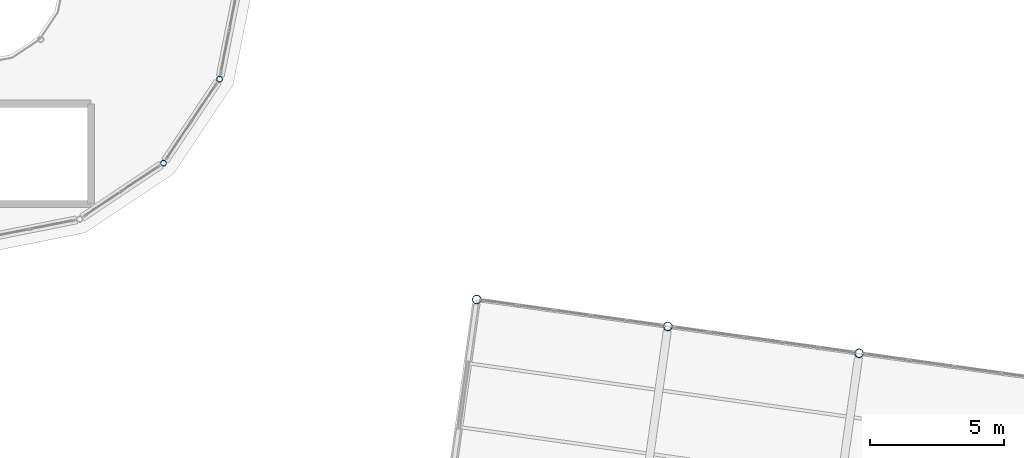
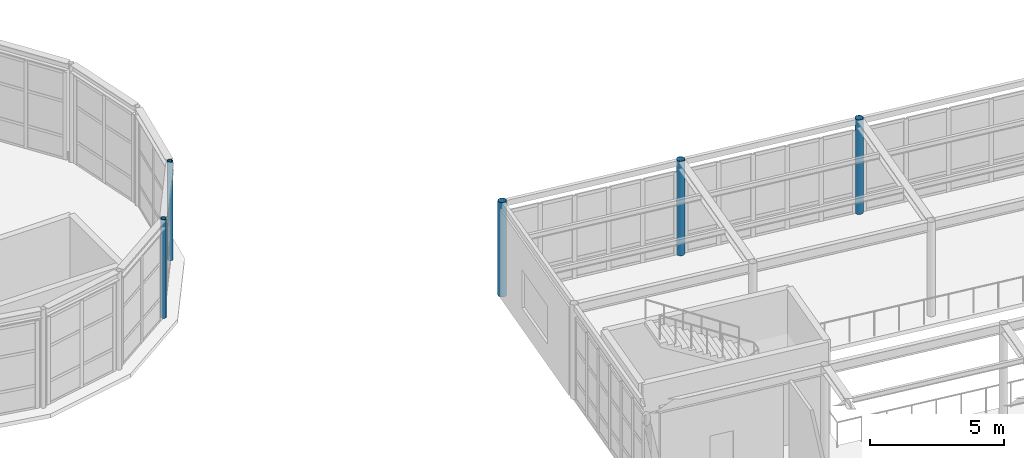
# One storey, part 7 of 80: 5 columns.
"""IFC4 building model written with IfcOpenShell, lengths in metres."""

import ifcopenshell
import ifcopenshell.guid

model = None  # the IFC model being written
_history = None  # IfcOwnerHistory: only IFC2X3 demands one
_inside = {}  # id of a spatial element -> (the spatial element, [elements in it])
_under = {}  # id of a project, library or spatial element -> (it, [spatial elements below it])
_declared = {}  # id of a project -> (the project, [libraries it declares])
_typed = {}  # id of a type object -> (the type object, [elements of that type])
_made_of = {}  # id of a material, layer set ... -> (it, [elements and type objects made of it])


def new_model(schema):
    """Start an empty IFC model of exactly this schema.

    Asked for "IFC4X3", IfcOpenShell would pick the latest addendum, in which some entities
    have other attributes; the version numbers below select the first issue.
    IFC2X3 requires an IfcOwnerHistory on every rooted entity: one is made here for all.
    """
    global model, _history
    if schema == "IFC4X3":
        model = ifcopenshell.file(schema_version=(4, 3, 0, 0))
    else:
        model = ifcopenshell.file(schema=schema)
    _inside.clear()
    _under.clear()
    _declared.clear()
    _typed.clear()
    _made_of.clear()
    _history = None
    if model.schema == "IFC2X3":
        org = make("IfcOrganization", Name="unknown")
        user = make(
            "IfcPersonAndOrganization",
            ThePerson=make("IfcPerson", FamilyName="unknown"),
            TheOrganization=org,
        )
        app = make(
            "IfcApplication",
            ApplicationDeveloper=org,
            Version="unknown",
            ApplicationFullName="unknown",
            ApplicationIdentifier="unknown",
        )
        _history = make(
            "IfcOwnerHistory",
            OwningUser=user,
            OwningApplication=app,
            ChangeAction="ADDED",
            CreationDate=0,
        )
    return model


def make(cls, **values):
    """One entity of the class cls with the attributes given. An attribute that is None is left unset."""
    return model.create_entity(
        cls, **{name: value for name, value in values.items() if value is not None}
    )


def rooted(cls, **values):
    """An entity with a GlobalId (a new one), such as an element, a storey or a relation."""
    return make(cls, GlobalId=ifcopenshell.guid.new(), OwnerHistory=_history, **values)


def si_unit(unit_type, name, prefix=None):
    """IfcSIUnit, for example si_unit("LENGTHUNIT", "METRE", prefix="MILLI")."""
    return make("IfcSIUnit", UnitType=unit_type, Prefix=prefix, Name=name)


def assignment(units):
    """IfcUnitAssignment: the units of a project."""
    return None if units is None else make("IfcUnitAssignment", Units=units)


def point(xyz):
    """IfcCartesianPoint."""
    return None if xyz is None else make("IfcCartesianPoint", Coordinates=xyz)


def direction(xyz):
    """IfcDirection."""
    return None if xyz is None else make("IfcDirection", DirectionRatios=xyz)


def frame(location, z_axis=None, x_axis=None):
    """IfcAxis2Placement3D, a coordinate frame: its origin and axes. An axis left out is left unset."""
    return make(
        "IfcAxis2Placement3D",
        Location=point(location),
        Axis=direction(z_axis),
        RefDirection=direction(x_axis),
    )


def frame_2d(location, x_axis=None):
    """IfcAxis2Placement2D, a coordinate frame in the plane: its origin and x axis."""
    return make(
        "IfcAxis2Placement2D", Location=point(location), RefDirection=direction(x_axis)
    )


def origin():
    """The frame at (0, 0, 0) with its axes left unset."""
    return frame((0.0, 0.0, 0.0))


def origin_2d():
    """The frame at (0, 0) in the plane with its x axis left unset."""
    return frame_2d((0.0, 0.0))


def place(relative_to, where):
    """IfcLocalPlacement: puts the frame where relative to a parent placement (None: the world)."""
    return make(
        "IfcLocalPlacement", PlacementRelTo=relative_to, RelativePlacement=where
    )


def context(
    kind, dimensions, precision=None, world=None, true_north=None, identifier=None
):
    """IfcGeometricRepresentationContext, for example the 3D "Model" context."""
    return make(
        "IfcGeometricRepresentationContext",
        ContextIdentifier=identifier,
        ContextType=kind,
        CoordinateSpaceDimension=dimensions,
        Precision=precision,
        WorldCoordinateSystem=world,
        TrueNorth=true_north,
    )


def subcontext(parent, identifier, kind, view, scale=None):
    """IfcGeometricRepresentationSubContext, for example "Body" below "Model"."""
    return make(
        "IfcGeometricRepresentationSubContext",
        ContextIdentifier=identifier,
        ContextType=kind,
        ParentContext=parent,
        TargetScale=scale,
        TargetView=view,
    )


def project(units=None, contexts=None):
    """IfcProject with its units and contexts."""
    return rooted(
        "IfcProject",
        Name="project",
        RepresentationContexts=contexts,
        UnitsInContext=assignment(units),
    )


def spatial(cls, under=None, at=None, **own):
    """A site, building, storey or space (cls), placed at a placement, below another one or the project."""
    s = rooted(cls, ObjectPlacement=at, **own)
    if under is not None:
        _under.setdefault(under.id(), (under, []))[1].append(s)
    return s


def profile(cls, at=None, kind="AREA", **sizes):
    """A parametric profile (cls). Its sizes go by their IFC names, for example OverallWidth=200.0."""
    return make(cls, ProfileType=kind, Position=at, **sizes)


def hollow_circle(**sizes):
    """IfcCircleHollowProfileDef."""
    return profile("IfcCircleHollowProfileDef", **sizes)


def extrude(swept, where, along, depth):
    """IfcExtrudedAreaSolid: the profile swept, set in the frame where, extruded along a direction by depth."""
    return make(
        "IfcExtrudedAreaSolid",
        SweptArea=swept,
        Position=where,
        ExtrudedDirection=direction(along),
        Depth=depth,
    )


def shape(context_of_items, identifier, shape_type, items):
    """IfcShapeRepresentation: the items that make up one representation, for example the "Body"."""
    return make(
        "IfcShapeRepresentation",
        ContextOfItems=context_of_items,
        RepresentationIdentifier=identifier,
        RepresentationType=shape_type,
        Items=items,
    )


def material(Name=None, Category=None):
    """IfcMaterial."""
    return make("IfcMaterial", Name=Name, Category=Category)


def material_profile(
    of_material, cross_section, Name=None, Category=None, Priority=None
):
    """IfcMaterialProfile: a cross section and its material."""
    return make(
        "IfcMaterialProfile",
        Name=Name,
        Material=of_material,
        Profile=cross_section,
        Priority=Priority,
        Category=Category,
    )


def profile_set(profiles, Name=None, composite=None):
    """IfcMaterialProfileSet."""
    return make(
        "IfcMaterialProfileSet",
        Name=Name,
        MaterialProfiles=profiles,
        CompositeProfile=composite,
    )


def made_of(thing, what):
    """Note that an element or type object is made of a material, layer set ...; save() writes the relation."""
    if what is not None:
        _made_of.setdefault(what.id(), (what, []))[1].append(thing)
    return thing


def type_object(cls, material=None, **own):
    """A type object (cls), such as IfcWallType, which elements share."""
    return made_of(rooted(cls, **own), material)


def element(
    cls,
    number,
    at=None,
    inside=None,
    cuts=None,
    type_object=None,
    material=None,
    context=None,
    identifier="Body",
    shape_type=None,
    held_by="IfcProductDefinitionShape",
    body=None,
    shapes=None,
    **own,
):
    """One element of the class cls, such as IfcWall. Its Tag is "e" and its number.

    at: its placement. inside: the storey or other place that contains it. cuts: it is an
    opening in that element (IfcRelVoidsElement). A single representation is given by context,
    identifier, shape_type and body (its items); several are given by shapes. held_by: the class
    of the entity that holds the representations. save() writes the other relations.
    """
    e = rooted(cls, Tag="e%d" % number, ObjectPlacement=at, **own)
    if body is not None:
        shapes = [shape(context, identifier, shape_type, body)]
    if shapes is not None:
        e.Representation = make(held_by, Representations=shapes)
    if inside is not None:
        _inside.setdefault(inside.id(), (inside, []))[1].append(e)
    if cuts is not None:
        rooted(
            "IfcRelVoidsElement", RelatingBuildingElement=cuts, RelatedOpeningElement=e
        )
    if type_object is not None:
        _typed.setdefault(type_object.id(), (type_object, []))[1].append(e)
    return made_of(e, material)


def aggregate(whole, parts):
    """IfcRelAggregates: a whole, such as a stair, and the parts it consists of."""
    return rooted("IfcRelAggregates", RelatingObject=whole, RelatedObjects=parts)


def save(model, path):
    """Write the relations noted so far, then the file.

    IfcRelAggregates (storeys below a building ...), IfcRelContainedInSpatialStructure (elements
    in a storey), IfcRelDefinesByType, IfcRelAssociatesMaterial and IfcRelDeclares: one each for
    every whole, place, type object, material and project.
    """
    for whole, parts in _under.values():
        aggregate(whole, parts)
    for where, things in _inside.values():
        rooted(
            "IfcRelContainedInSpatialStructure",
            RelatedElements=things,
            RelatingStructure=where,
        )
    for kind, things in _typed.values():
        rooted("IfcRelDefinesByType", RelatedObjects=things, RelatingType=kind)
    for what, things in _made_of.values():
        rooted("IfcRelAssociatesMaterial", RelatedObjects=things, RelatingMaterial=what)
    for by, libraries in _declared.values():
        rooted("IfcRelDeclares", RelatingContext=by, RelatedDefinitions=libraries)
    model.write(path)


model = new_model("IFC4")

# Units and contexts
model_context = context("Model", 3, precision=1e-05, world=origin(), true_north=direction((0.0, 1.0)))
body_context = subcontext(model_context, "Body", "Model", "MODEL_VIEW")
ifc_project = project(units=[si_unit("LENGTHUNIT", "METRE"), si_unit("AREAUNIT", "SQUARE_METRE"), si_unit("VOLUMEUNIT", "CUBIC_METRE"), si_unit("PLANEANGLEUNIT", "RADIAN"), si_unit("MASSUNIT", "GRAM", prefix="KILO")], contexts=[model_context])

# Site, building, storey
site_placement = place(None, origin())
site = spatial("IfcSite", under=ifc_project, at=site_placement, CompositionType="ELEMENT")
building_placement = place(site_placement, origin())
building = spatial("IfcBuilding", under=site, at=building_placement, Name="Kharisveld Research Institute", CompositionType="ELEMENT")
storey_placement = place(building_placement, frame((0.0, 0.0, 5.10009765625)))
storey = spatial("IfcBuildingStorey", under=building, at=storey_placement, Name="L01", CompositionType="ELEMENT", Elevation=5.10009765625)

# Columns
ifc_material_1 = material(Name="Steel S355J2H", Category="steel")
ifc_material_profile_1 = material_profile(ifc_material_1, hollow_circle(Radius=0.109619140625, WallThickness=0.010009765625, at=origin_2d()))
ifc_profile_set_1 = profile_set([ifc_material_profile_1], Name="Steel S355J2H")
column_type_1 = type_object("IfcColumnType", Name="COL_ST_CHS219", PredefinedType="COLUMN", material=ifc_profile_set_1)
for number, where, z_axis, x_axis, name in (
    (1, (66.323486328125, 43.976318359375, 0.0), (0.0, 0.0, 1.0), (1.0, 0.0, 0.0), "COL:V6:L01:R14"),
    (2, (68.41552734375, 47.107177734375, 0.0), (0.0, 0.0, 1.0), (1.0, 0.0, 0.0), "COL:V6:L01:R15"),
):
    element("IfcColumn", number, at=place(storey_placement, frame(where, z_axis=z_axis, x_axis=x_axis)), inside=storey, type_object=column_type_1, Name=name, PredefinedType="COLUMN", context=body_context, shape_type="SweptSolid", body=[
        extrude(hollow_circle(Radius=0.109619140625, WallThickness=0.010009765625, at=origin_2d()), origin(), (0.0, 0.0, 1.0), 4.5),
    ])
ifc_material_2 = material(Name="Steel S355J2H", Category="steel")
ifc_material_profile_2 = material_profile(ifc_material_2, hollow_circle(Radius=0.161865234375, WallThickness=0.012451171875, at=origin_2d()))
ifc_profile_set_2 = profile_set([ifc_material_profile_2], Name="Steel S355J2H")
column_type_2 = type_object("IfcColumnType", Name="COL_ST_CHS324", PredefinedType="COLUMN", material=ifc_profile_set_2)
for number, where, z_axis, x_axis, name in (
    (3, (78.006103515625, 38.889892578125, 0.0), (0.0, 0.0, 1.0), (0.990268068742, -0.13917310096, 0.0), "COL:V4:L01:U0V3"),
    (4, (85.135986328125, 37.8876953125, 0.0), (0.0, 0.0, 1.0), (0.990268068742, -0.13917310096, 0.0), "COL:V4:L01:U1V3"),
    (5, (92.26611328125, 36.8857421875, 0.0), (0.0, 0.0, 1.0), (0.990268068742, -0.13917310096, 0.0), "COL:V4:L01:U2V3"),
):
    element("IfcColumn", number, at=place(storey_placement, frame(where, z_axis=z_axis, x_axis=x_axis)), inside=storey, type_object=column_type_2, Name=name, PredefinedType="COLUMN", context=body_context, shape_type="SweptSolid", body=[
        extrude(hollow_circle(Radius=0.161865234375, WallThickness=0.012451171875, at=origin_2d()), origin(), (0.0, 0.0, 1.0), 4.309814453125),
    ])

save(model, "model.ifc")
